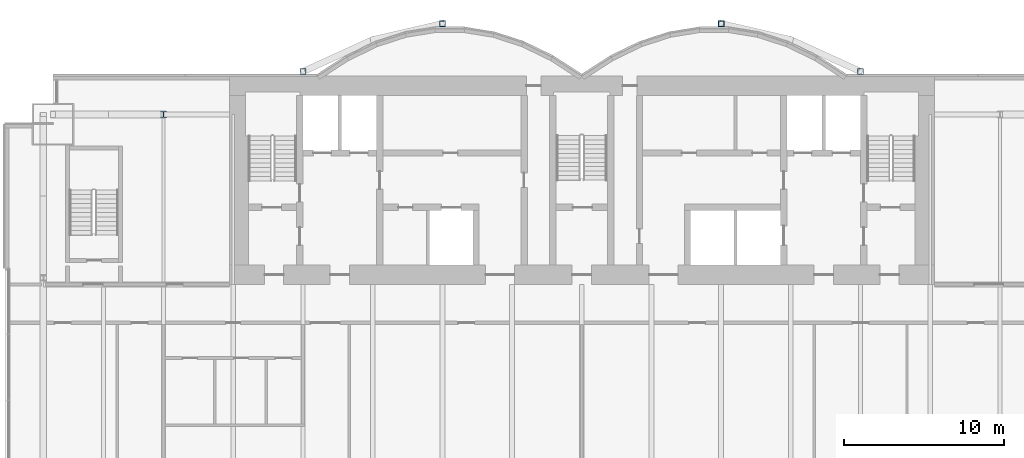
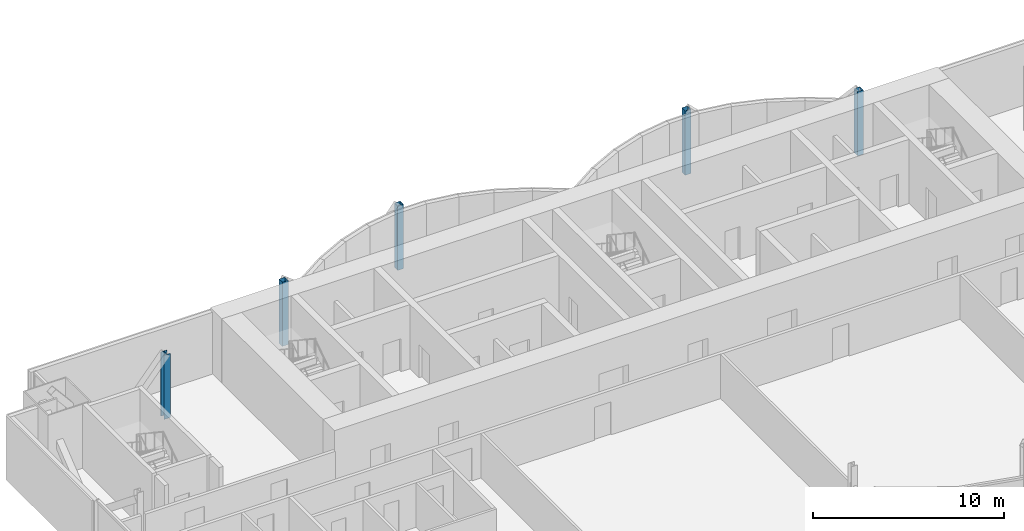
# One storey, part 3 of 20: 5 columns.
"""IFC4 building model written with IfcOpenShell, lengths in metres."""

from ifc_helpers import new_model, si_unit, direction, frame, origin, origin_2d, place, context, subcontext, project, spatial, hollow_rectangle, i_section, extrude, material, material_profile, profile_set, type_object, element, save


model = new_model("IFC4")

# Units and contexts
model_context = context("Model", 3, precision=1e-05, world=origin(), true_north=direction((0.0, 1.0)))
body_context = subcontext(model_context, "Body", "Model", "MODEL_VIEW")
ifc_project = project(units=[si_unit("LENGTHUNIT", "METRE"), si_unit("AREAUNIT", "SQUARE_METRE"), si_unit("VOLUMEUNIT", "CUBIC_METRE"), si_unit("PLANEANGLEUNIT", "RADIAN"), si_unit("MASSUNIT", "GRAM", prefix="KILO")], contexts=[model_context])

# Site, building, storey
site_placement = place(None, origin())
site = spatial("IfcSite", under=ifc_project, at=site_placement, CompositionType="ELEMENT")
building_placement = place(site_placement, origin())
building = spatial("IfcBuilding", under=site, at=building_placement, Name="Bicima Exchange Tower", CompositionType="ELEMENT")
storey_placement = place(building_placement, frame((0.0, 0.0, 215.5)))
storey = spatial("IfcBuildingStorey", under=building, at=storey_placement, Name="L48", CompositionType="ELEMENT", Elevation=215.5)

# Columns
ifc_material_1 = material(Name="Steel ASTM A992 Gr 50", Category="steel")
ifc_material_profile_1 = material_profile(ifc_material_1, i_section(OverallWidth=0.373291015625, OverallDepth=0.373291015625, WebThickness=0.016357421875, FlangeThickness=0.026123046875, at=origin_2d()))
ifc_profile_set_1 = profile_set([ifc_material_profile_1], Name="Steel ASTM A992 Gr 50")
column_type_1 = type_object("IfcColumnType", Name="Perimeter column W14x132", PredefinedType="COLUMN", material=ifc_profile_set_1)
column_placement = place(storey_placement, frame((-26.10009765625, -2.39990234375, 0.0), z_axis=(0.0, 0.0, 1.0), x_axis=(1.0, 0.0, 0.0)))
element("IfcColumn", 1, at=column_placement, inside=storey, type_object=column_type_1, Name="Perimeter column grav-26.1r", PredefinedType="COLUMN", context=body_context, shape_type="SweptSolid", body=[
    extrude(i_section(OverallWidth=0.373291015625, OverallDepth=0.373291015625, WebThickness=0.016357421875, FlangeThickness=0.026123046875, at=origin_2d()), origin(), (0.0, 0.0, 1.0), 4.10009765625),
])
ifc_material_2 = material(Name="Steel ASTM A572 Gr 50", Category="steel")
ifc_material_profile_2 = material_profile(ifc_material_2, hollow_rectangle(XDim=0.355712890625, YDim=0.355712890625, WallThickness=0.01171875, at=origin_2d()))
ifc_profile_set_2 = profile_set([ifc_material_profile_2], Name="Steel ASTM A572 Gr 50")
column_type_2 = type_object("IfcColumnType", Name="Rear pilaster HSS14x14x1/2", PredefinedType="COLUMN", material=ifc_profile_set_2)
for number, where, z_axis, x_axis, name in (
    (2, (-8.699951171875, 3.26904296875, 0.0), (0.0, 0.0, 1.0), (1.0, 0.0, 0.0), "Rear pilaster rexo-8.7r"),
    (3, (-17.39990234375, 0.278076171875, 0.0), (0.0, 0.0, 1.0), (1.0, 0.0, 0.0), "Rear pilaster rexo-17.4r"),
    (4, (8.699951171875, 3.26904296875, 0.0), (0.0, 0.0, 1.0), (1.0, 0.0, 0.0), "Rear pilaster rexo+8.7r"),
    (5, (17.39990234375, 0.278076171875, 0.0), (0.0, 0.0, 1.0), (1.0, 0.0, 0.0), "Rear pilaster rexo+17.4r"),
):
    element("IfcColumn", number, at=place(storey_placement, frame(where, z_axis=z_axis, x_axis=x_axis)), inside=storey, type_object=column_type_2, Name=name, PredefinedType="COLUMN", context=body_context, shape_type="SweptSolid", body=[
        extrude(hollow_rectangle(XDim=0.355712890625, YDim=0.355712890625, WallThickness=0.01171875, at=origin_2d()), origin(), (0.0, 0.0, 1.0), 4.10009765625),
    ])

save(model, "model.ifc")
